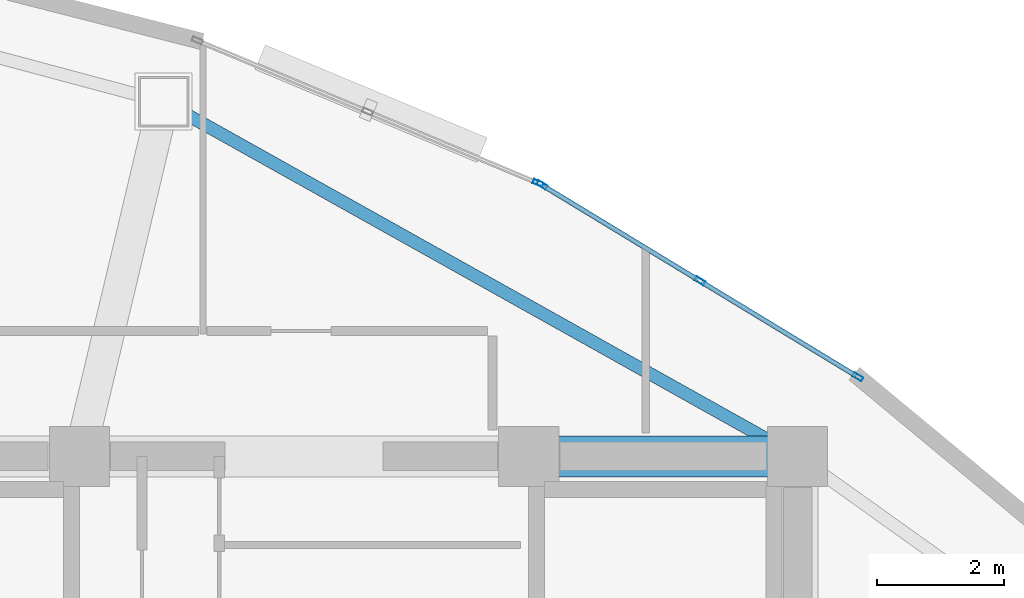
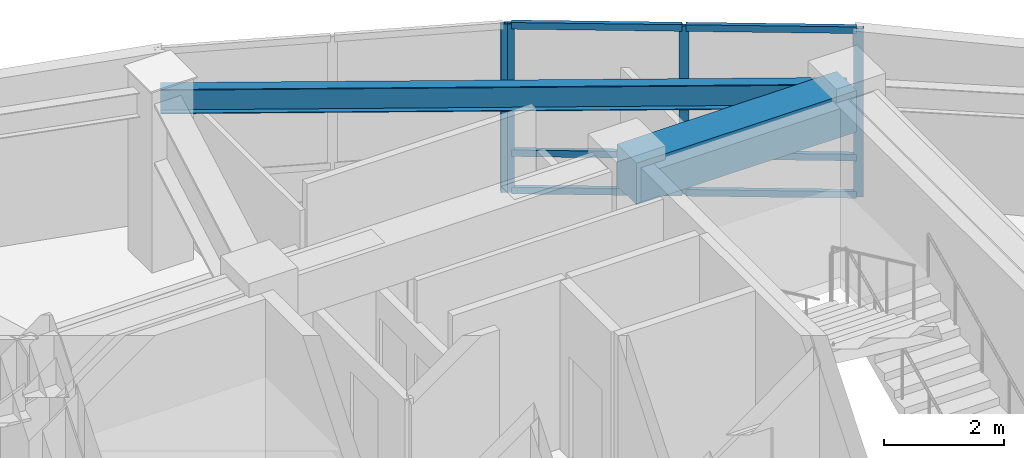
# One storey, part 10 of 15: 10 members, 2 beams, 2 elements without a shape of their own.
"""IFC4 building model written with IfcOpenShell, lengths in metres."""

from ifc_helpers import new_model, si_unit, direction, frame, origin, origin_2d, place, context, subcontext, project, spatial, rectangle, hollow_rectangle, i_section, extrude, material, layer, layer_set, material_profile, profile_set, type_object, element, aggregate, save


model = new_model("IFC4")

# Units and contexts
model_context = context("Model", 3, precision=1e-05, world=origin(), true_north=direction((0.0, 1.0)))
body_context = subcontext(model_context, "Body", "Model", "MODEL_VIEW")
ifc_project = project(units=[si_unit("LENGTHUNIT", "METRE"), si_unit("AREAUNIT", "SQUARE_METRE"), si_unit("VOLUMEUNIT", "CUBIC_METRE"), si_unit("PLANEANGLEUNIT", "RADIAN"), si_unit("MASSUNIT", "GRAM", prefix="KILO")], contexts=[model_context])

# Site, building, storey
site_placement = place(None, origin())
site = spatial("IfcSite", under=ifc_project, at=site_placement, CompositionType="ELEMENT")
building_placement = place(site_placement, origin())
building = spatial("IfcBuilding", under=site, at=building_placement, Name="Menara Vayukalpa", CompositionType="ELEMENT")
storey_placement = place(building_placement, frame((0.0, 0.0, 295.5)))
storey = spatial("IfcBuildingStorey", under=building, at=storey_placement, Name="L75", CompositionType="ELEMENT", Elevation=295.5)

# Beams
ifc_material_1 = material(Name="Concrete C60/75", Category="concrete")
ifc_material_profile_1 = material_profile(ifc_material_1, rectangle(XDim=0.64990234375, YDim=0.85009765625, at=origin_2d()), Name="RC 650x850")
ifc_profile_set_1 = profile_set([ifc_material_profile_1], Name="Concrete C60/75")
beam_type_1 = type_object("IfcBeamType", Name="BM-CB1", PredefinedType="BEAM", material=ifc_profile_set_1)
beam_1_placement = place(storey_placement, frame((29.14990234375, 26.800048828125, 3.014892578125), z_axis=(1.0, 0.0, 0.0), x_axis=(0.0, 1.0, 0.0)))
element("IfcBeam", 1, at=beam_1_placement, inside=storey, type_object=beam_type_1, Name="L75 Core Tie Beam CBR6", PredefinedType="BEAM", context=body_context, shape_type="SweptSolid", body=[
    extrude(rectangle(XDim=0.64990234375, YDim=0.85009765625, at=origin_2d()), origin(), (0.0, 0.0, 1.0), 4.25),
])
ifc_material_2 = material(Name="Steel S355", Category="steel")
ifc_material_profile_2 = material_profile(ifc_material_2, i_section(OverallWidth=0.199951171875, OverallDepth=0.5, WebThickness=0.010009765625, FlangeThickness=0.01611328125, at=origin_2d()), Name="WF 500x200x10x16")
ifc_profile_set_2 = profile_set([ifc_material_profile_2], Name="Steel S355")
beam_type_2 = type_object("IfcBeamType", Name="BM-SP3", PredefinedType="SPANDREL", material=ifc_profile_set_2)
beam_2_placement = place(storey_placement, frame((33.39990234375, 26.800048828125, 3.18994140625), z_axis=(-0.87270577288, 0.48824648896, 0.0), x_axis=(-0.48824648896, -0.87270577288, 0.0)))
element("IfcBeam", 2, at=beam_2_placement, inside=storey, type_object=beam_type_2, Name="L75 Perimeter Spandrel Beam SP02", PredefinedType="SPANDREL", context=body_context, shape_type="SweptSolid", body=[
    extrude(i_section(OverallWidth=0.199951171875, OverallDepth=0.5, WebThickness=0.010009765625, FlangeThickness=0.01611328125, at=origin_2d()), origin(), (0.0, 0.0, 1.0), 11.479248046875),
])

# Curtain wall, members
ifc_material_3 = material(Name="Anodised Terracotta Aluminium Alloy 6063-T6", Category="masonry")
ifc_layer = layer(ifc_material_3, 0.1650390625)
ifc_layer_set = layer_set([ifc_layer], Name="Anodised Terracotta Aluminium Alloy 6063-T6")
curtain_wall_type = type_object("IfcCurtainWallType", Name="CW-CW6", PredefinedType="USERDEFINED", material=ifc_layer_set)
curtain_wall_1_placement = place(storey_placement, origin())
curtain_wall_1 = element("IfcCurtainWall", 3, at=curtain_wall_1_placement, inside=storey, type_object=curtain_wall_type, Name="L75 Observation and Executive Curtain Wall CW6 04", ObjectType="UNITISED", PredefinedType="USERDEFINED")
ifc_material_4 = material(Name="Anodised Terracotta Aluminium Alloy 6063-T6", Category="masonry")
ifc_material_profile_3 = material_profile(ifc_material_4, hollow_rectangle(XDim=0.070068359375, YDim=0.1650390625, WallThickness=0.00390625, at=origin_2d()), Name="ALU 70x165x4")
ifc_profile_set_3 = profile_set([ifc_material_profile_3], Name="Anodised Terracotta Aluminium Alloy 6063-T6")
member_type_1 = type_object("IfcMemberType", Name="CWM-CW6", PredefinedType="MULLION", material=ifc_profile_set_3)
member_1_placement = place(storey_placement, frame((34.35009765625, 28.056396484375, 0.0), z_axis=(0.0, 0.0, 1.0), x_axis=(-0.519175574558, -0.854667609532, 0.0)))
member_1 = element("IfcMember", 4, at=member_1_placement, type_object=member_type_1, Name="CW6 mullion 1", PredefinedType="MULLION", context=body_context, shape_type="SweptSolid", body=[
    extrude(hollow_rectangle(XDim=0.070068359375, YDim=0.1650390625, WallThickness=0.00390625, at=origin_2d()), origin(), (0.0, 0.0, 1.0), 3.43994140625),
])
member_2_placement = place(storey_placement, frame((31.85546875, 29.57177734375, 0.0), z_axis=(0.0, 0.0, 1.0), x_axis=(-0.519175574558, -0.854667609532, 0.0)))
member_2 = element("IfcMember", 5, at=member_2_placement, type_object=member_type_1, Name="CW6 mullion 2", PredefinedType="MULLION", context=body_context, shape_type="SweptSolid", body=[
    extrude(hollow_rectangle(XDim=0.070068359375, YDim=0.1650390625, WallThickness=0.00390625, at=origin_2d()), origin(), (0.0, 0.0, 1.0), 3.43994140625),
])
member_3_placement = place(storey_placement, frame((29.36083984375, 31.087158203125, 0.0), z_axis=(0.0, 0.0, 1.0), x_axis=(-0.519175574558, -0.854667609532, 0.0)))
member_3 = element("IfcMember", 6, at=member_3_placement, type_object=member_type_1, Name="CW6 mullion 3", PredefinedType="MULLION", context=body_context, shape_type="SweptSolid", body=[
    extrude(hollow_rectangle(XDim=0.070068359375, YDim=0.1650390625, WallThickness=0.00390625, at=origin_2d()), origin(), (0.0, 0.0, 1.0), 3.43994140625),
])

# Curtain wall, member
curtain_wall_2_placement = place(storey_placement, origin())
curtain_wall_2 = element("IfcCurtainWall", 7, at=curtain_wall_2_placement, inside=storey, type_object=curtain_wall_type, Name="L75 Observation and Executive Curtain Wall CW6 05", ObjectType="UNITISED", PredefinedType="USERDEFINED")
member_4_placement = place(storey_placement, frame((29.298828125, 31.118896484375, 0.0), z_axis=(0.0, 0.0, 1.0), x_axis=(-0.385899911703, -0.922540653927, 0.0)))
member_4 = element("IfcMember", 8, at=member_4_placement, type_object=member_type_1, Name="CW6 mullion 1", PredefinedType="MULLION", context=body_context, shape_type="SweptSolid", body=[
    extrude(hollow_rectangle(XDim=0.070068359375, YDim=0.1650390625, WallThickness=0.00390625, at=origin_2d()), origin(), (0.0, 0.0, 1.0), 3.43994140625),
])
aggregate(curtain_wall_2, [member_4])

# Member
ifc_material_5 = material(Name="Anodised Terracotta Aluminium Alloy 6063-T6", Category="masonry")
ifc_material_profile_4 = material_profile(ifc_material_5, hollow_rectangle(XDim=0.074951171875, YDim=0.135009765625, WallThickness=0.00390625, at=origin_2d()), Name="ALU 75x135x4")
ifc_profile_set_4 = profile_set([ifc_material_profile_4], Name="Anodised Terracotta Aluminium Alloy 6063-T6")
member_type_2 = type_object("IfcMemberType", Name="CWT-CW6", PredefinedType="USERDEFINED", material=ifc_profile_set_4)
member_5_placement = place(storey_placement, frame((34.320068359375, 28.07470703125, 0.03759765625), z_axis=(-0.854674800659, 0.519163736328, 0.0), x_axis=(-0.519163736328, -0.85467480066, 0.0)))
member_5 = element("IfcMember", 9, at=member_5_placement, type_object=member_type_2, Name="CW6 transom 1.1", ObjectType="TRANSOM", PredefinedType="USERDEFINED", context=body_context, shape_type="SweptSolid", body=[
    extrude(hollow_rectangle(XDim=0.074951171875, YDim=0.135009765625, WallThickness=0.00390625, at=origin_2d()), origin(), (0.0, 0.0, 1.0), 2.848876953125),
])

member_6_placement = place(storey_placement, frame((34.320068359375, 28.07470703125, 0.800048828125), z_axis=(-0.854674800659, 0.519163736328, 0.0), x_axis=(-0.519163736328, -0.85467480066, 0.0)))
member_6 = element("IfcMember", 10, at=member_6_placement, type_object=member_type_2, Name="CW6 transom 1.2", ObjectType="TRANSOM", PredefinedType="USERDEFINED", context=body_context, shape_type="SweptSolid", body=[
    extrude(hollow_rectangle(XDim=0.074951171875, YDim=0.135009765625, WallThickness=0.00390625, at=origin_2d()), origin(), (0.0, 0.0, 1.0), 2.848876953125),
])

member_7_placement = place(storey_placement, frame((34.320068359375, 28.07470703125, 3.402587890625), z_axis=(-0.854674800659, 0.519163736328, 0.0), x_axis=(-0.519163736328, -0.85467480066, 0.0)))
member_7 = element("IfcMember", 11, at=member_7_placement, type_object=member_type_2, Name="CW6 transom 1.3", ObjectType="TRANSOM", PredefinedType="USERDEFINED", context=body_context, shape_type="SweptSolid", body=[
    extrude(hollow_rectangle(XDim=0.074951171875, YDim=0.135009765625, WallThickness=0.00390625, at=origin_2d()), origin(), (0.0, 0.0, 1.0), 2.848876953125),
])

member_8_placement = place(storey_placement, frame((31.825439453125, 29.590087890625, 0.03759765625), z_axis=(-0.854689729536, 0.519139158825, 0.0), x_axis=(-0.519139158825, -0.854689729536, 0.0)))
member_8 = element("IfcMember", 12, at=member_8_placement, type_object=member_type_2, Name="CW6 transom 2.1", ObjectType="TRANSOM", PredefinedType="USERDEFINED", context=body_context, shape_type="SweptSolid", body=[
    extrude(hollow_rectangle(XDim=0.074951171875, YDim=0.135009765625, WallThickness=0.00390625, at=origin_2d()), origin(), (0.0, 0.0, 1.0), 2.848388671875),
])

member_9_placement = place(storey_placement, frame((31.825439453125, 29.590087890625, 0.800048828125), z_axis=(-0.854689729536, 0.519139158825, 0.0), x_axis=(-0.519139158825, -0.854689729536, 0.0)))
member_9 = element("IfcMember", 13, at=member_9_placement, type_object=member_type_2, Name="CW6 transom 2.2", ObjectType="TRANSOM", PredefinedType="USERDEFINED", context=body_context, shape_type="SweptSolid", body=[
    extrude(hollow_rectangle(XDim=0.074951171875, YDim=0.135009765625, WallThickness=0.00390625, at=origin_2d()), origin(), (0.0, 0.0, 1.0), 2.848388671875),
])

member_10_placement = place(storey_placement, frame((31.825439453125, 29.590087890625, 3.402587890625), z_axis=(-0.854689729536, 0.519139158825, 0.0), x_axis=(-0.519139158825, -0.854689729536, 0.0)))
member_10 = element("IfcMember", 14, at=member_10_placement, type_object=member_type_2, Name="CW6 transom 2.3", ObjectType="TRANSOM", PredefinedType="USERDEFINED", context=body_context, shape_type="SweptSolid", body=[
    extrude(hollow_rectangle(XDim=0.074951171875, YDim=0.135009765625, WallThickness=0.00390625, at=origin_2d()), origin(), (0.0, 0.0, 1.0), 2.848388671875),
])

aggregate(curtain_wall_1, [member_1, member_2, member_3, member_5, member_6, member_7, member_8, member_9, member_10])

save(model, "model.ifc")
